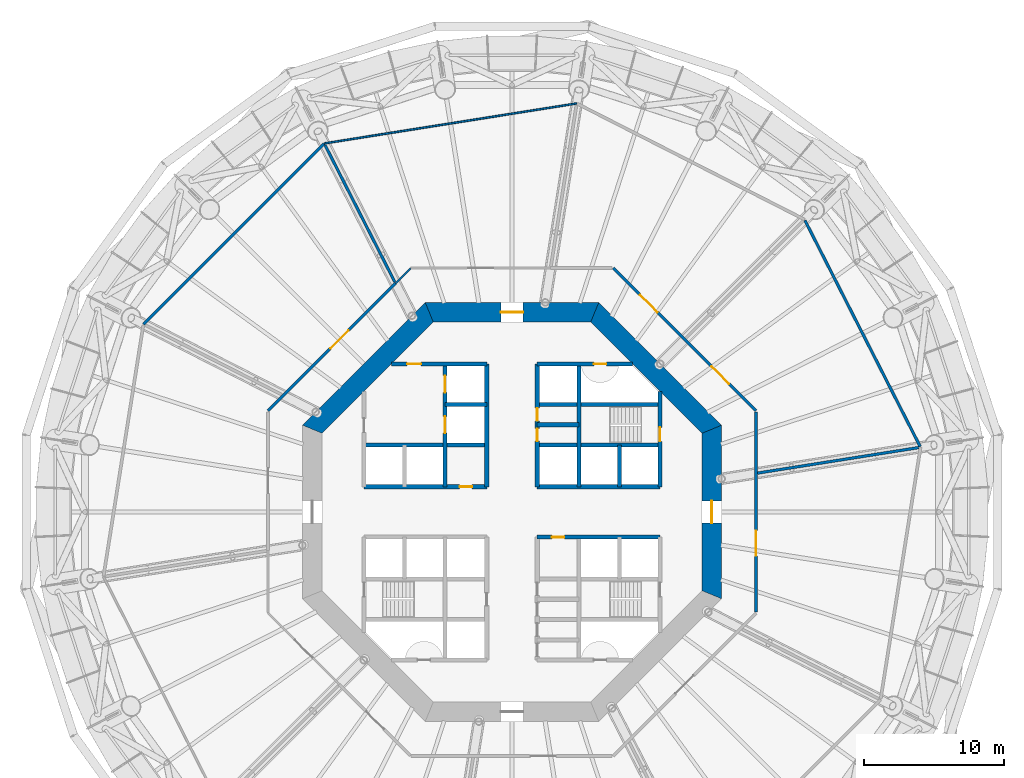
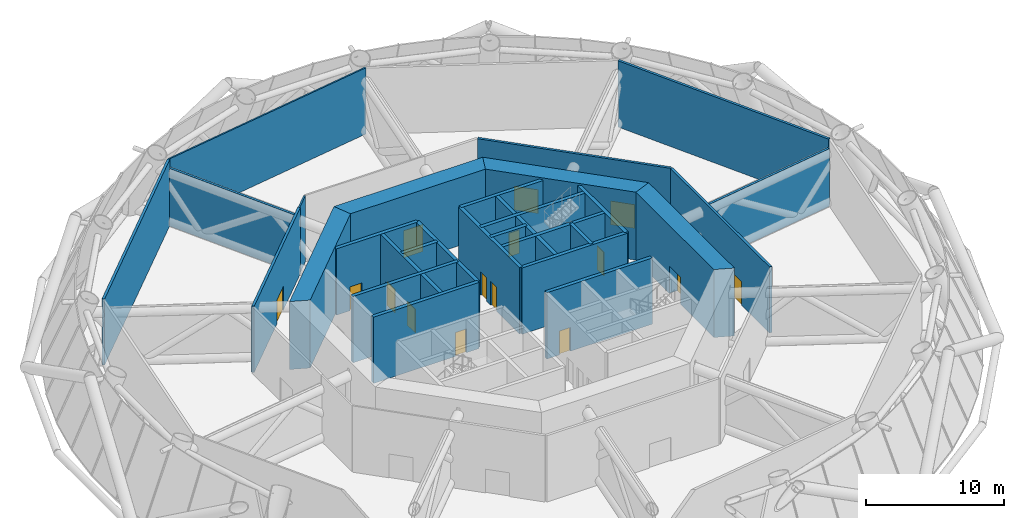
# One storey, part 9 of 14: 29 walls, 15 doors, 15 openings.
"""IFC4 building model written with IfcOpenShell, lengths in metres."""

from ifc_helpers import new_model, si_unit, direction, frame, frame_2d, origin, place, context, subcontext, project, spatial, polyline, rectangle, outline, extrude, material, layer, layer_set, type_object, element, fill, save


model = new_model("IFC4")

# Units and contexts
model_context = context("Model", 3, precision=1e-05, world=origin(), true_north=direction((0.0, 1.0)))
body_context = subcontext(model_context, "Body", "Model", "MODEL_VIEW")
ifc_project = project(units=[si_unit("LENGTHUNIT", "METRE"), si_unit("AREAUNIT", "SQUARE_METRE"), si_unit("VOLUMEUNIT", "CUBIC_METRE"), si_unit("PLANEANGLEUNIT", "RADIAN"), si_unit("MASSUNIT", "GRAM", prefix="KILO")], contexts=[model_context])

# Site, building, storey
site_placement = place(None, origin())
site = spatial("IfcSite", under=ifc_project, at=site_placement, CompositionType="ELEMENT")
building_placement = place(site_placement, origin())
building = spatial("IfcBuilding", under=site, at=building_placement, Name="Entoto Ring Tower", CompositionType="ELEMENT")
storey_placement = place(building_placement, frame((0.0, 0.0, 74.0)))
storey = spatial("IfcBuildingStorey", under=building, at=storey_placement, Name="L16", CompositionType="ELEMENT", Elevation=74.0)

# Wall, opening, door
ifc_material_1 = material(Name="Concrete C40/50", Category="concrete")
ifc_layer_1 = layer(ifc_material_1, 0.300048828125)
ifc_layer_set_1 = layer_set([ifc_layer_1], Name="Concrete C40/50")
wall_type_1 = type_object("IfcWallType", Name="Core enclosure wall 300 mm reinforced concrete", PredefinedType="SOLIDWALL", material=ifc_layer_set_1)
wall_1_placement = place(storey_placement, frame((100.60009765625, 81.800048828125, 0.0), z_axis=(0.0, 0.0, 1.0), x_axis=(0.0, 1.0, 0.0)))
wall_1 = element("IfcWall", 1, at=wall_1_placement, inside=storey, type_object=wall_type_1, Name="wall-L16-002", PredefinedType="SOLIDWALL", context=body_context, shape_type="SweptSolid", body=[
    extrude(rectangle(XDim=6.833251953125, YDim=0.300048828125, at=frame_2d((3.41650390625, 0.0))), origin(), (0.0, 0.0, 1.0), 5.85009765625),
])
opening_1_placement = place(wall_1_placement, frame((3.25, 0.0, 0.0)))
opening_1 = element("IfcOpeningElement", 2, at=opening_1_placement, cuts=wall_1, Name="Opening K-51", PredefinedType="OPENING", context=body_context, shape_type="SweptSolid", body=[
    extrude(rectangle(XDim=1.0, YDim=2.10009765625, at=frame_2d((0.5, 1.050048828125))), frame((0.0, 0.16015625, 0.0), z_axis=(0.0, -1.0, 0.0), x_axis=(1.0, 0.0, 0.0)), (0.0, 0.0, 1.0), 0.320068359375),
])
ifc_material_2 = material(Name="Steel door leaf, fire rated", Category="steel")
ifc_layer_2 = layer(ifc_material_2, 0.050048828125)
ifc_layer_set_2 = layer_set([ifc_layer_2], Name="Steel door leaf, fire rated")
door_type_1 = type_object("IfcDoorType", Name="Fire door FD60 1000 x 2100 single leaf", OperationType="NOTDEFINED", PredefinedType="DOOR", material=ifc_layer_set_2)
door_1_placement = place(opening_1_placement, origin())
door_1 = element("IfcDoor", 3, at=door_1_placement, inside=storey, type_object=door_type_1, Name="Door K-51", OperationType="SINGLE_SWING_RIGHT", OverallHeight=2.10009765625, OverallWidth=1.0, PredefinedType="DOOR", context=body_context, shape_type="SweptSolid", body=[
    extrude(rectangle(XDim=1.0, YDim=2.10009765625, at=frame_2d((0.5, 1.050048828125))), frame((0.0, 0.02490234375, 0.0), z_axis=(0.0, -1.0, 0.0), x_axis=(1.0, 0.0, 0.0)), (0.0, 0.0, 1.0), 0.050048828125),
])
fill(opening_1, door_1)

# Walls
wall_2_placement = place(storey_placement, frame((97.699951171875, 81.800048828125, 0.0), z_axis=(0.0, 0.0, 1.0), x_axis=(0.0, 1.0, 0.0)))
element("IfcWall", 4, at=wall_2_placement, inside=storey, type_object=wall_type_1, Name="wall-L16-004", PredefinedType="SOLIDWALL", context=body_context, shape_type="SweptSolid", body=[
    extrude(rectangle(XDim=3.0, YDim=0.300048828125, at=frame_2d((1.5, 0.0))), origin(), (0.0, 0.0, 1.0), 5.85009765625),
])
wall_3_placement = place(storey_placement, frame((94.800048828125, 81.800048828125, 0.0), z_axis=(0.0, 0.0, 1.0), x_axis=(0.0, 1.0, 0.0)))
element("IfcWall", 5, at=wall_3_placement, inside=storey, type_object=wall_type_1, Name="wall-L16-006", PredefinedType="SOLIDWALL", context=body_context, shape_type="SweptSolid", body=[
    extrude(rectangle(XDim=8.800048828125, YDim=0.300048828125, at=frame_2d((4.39990234375, 0.0))), origin(), (0.0, 0.0, 1.0), 5.85009765625),
])

# Wall, openings, doors
wall_4_placement = place(storey_placement, frame((91.800048828125, 81.800048828125, 0.0), z_axis=(0.0, 0.0, 1.0), x_axis=(0.0, 1.0, 0.0)))
wall_4 = element("IfcWall", 6, at=wall_4_placement, inside=storey, type_object=wall_type_1, Name="wall-L16-008", PredefinedType="SOLIDWALL", context=body_context, shape_type="SweptSolid", body=[
    extrude(rectangle(XDim=8.800048828125, YDim=0.300048828125, at=frame_2d((4.39990234375, 0.0))), origin(), (0.0, 0.0, 1.0), 5.85009765625),
])
opening_2_placement = place(wall_4_placement, frame((3.27490234375, 0.0, 0.0)))
opening_2 = element("IfcOpeningElement", 7, at=opening_2_placement, cuts=wall_4, Name="Opening K-05", PredefinedType="OPENING", context=body_context, shape_type="SweptSolid", body=[
    extrude(rectangle(XDim=0.89990234375, YDim=2.10009765625, at=frame_2d((0.449951171875, 1.050048828125))), frame((0.0, 0.16015625, 0.0), z_axis=(0.0, -1.0, 0.0), x_axis=(1.0, 0.0, 0.0)), (0.0, 0.0, 1.0), 0.320068359375),
])
opening_3_placement = place(wall_4_placement, frame((4.72509765625, 0.0, 0.0)))
opening_3 = element("IfcOpeningElement", 8, at=opening_3_placement, cuts=wall_4, Name="Opening K-06", PredefinedType="OPENING", context=body_context, shape_type="SweptSolid", body=[
    extrude(rectangle(XDim=0.89990234375, YDim=2.10009765625, at=frame_2d((0.449951171875, 1.050048828125))), frame((0.0, 0.16015625, 0.0), z_axis=(0.0, -1.0, 0.0), x_axis=(1.0, 0.0, 0.0)), (0.0, 0.0, 1.0), 0.320068359375),
])
ifc_material_3 = material(Name="Steel door leaf, fire rated", Category="steel")
ifc_layer_3 = layer(ifc_material_3, 0.050048828125)
ifc_layer_set_3 = layer_set([ifc_layer_3], Name="Steel door leaf, fire rated")
door_type_2 = type_object("IfcDoorType", Name="Core door 900 x 2100 single leaf", OperationType="NOTDEFINED", PredefinedType="DOOR", material=ifc_layer_set_3)
door_2_placement = place(opening_2_placement, origin())
door_2 = element("IfcDoor", 9, at=door_2_placement, inside=storey, type_object=door_type_2, Name="Door K-05", OperationType="SINGLE_SWING_RIGHT", OverallHeight=2.10009765625, OverallWidth=0.89990234375, PredefinedType="DOOR", context=body_context, shape_type="SweptSolid", body=[
    extrude(rectangle(XDim=0.89990234375, YDim=2.10009765625, at=frame_2d((0.449951171875, 1.050048828125))), frame((0.0, 0.02490234375, 0.0), z_axis=(0.0, -1.0, 0.0), x_axis=(1.0, 0.0, 0.0)), (0.0, 0.0, 1.0), 0.050048828125),
])
fill(opening_2, door_2)
door_3_placement = place(opening_3_placement, origin())
door_3 = element("IfcDoor", 10, at=door_3_placement, inside=storey, type_object=door_type_2, Name="Door K-06", OperationType="SINGLE_SWING_RIGHT", OverallHeight=2.10009765625, OverallWidth=0.89990234375, PredefinedType="DOOR", context=body_context, shape_type="SweptSolid", body=[
    extrude(rectangle(XDim=0.89990234375, YDim=2.10009765625, at=frame_2d((0.449951171875, 1.050048828125))), frame((0.0, 0.02490234375, 0.0), z_axis=(0.0, -1.0, 0.0), x_axis=(1.0, 0.0, 0.0)), (0.0, 0.0, 1.0), 0.050048828125),
])
fill(opening_3, door_3)

# Wall
wall_5_placement = place(storey_placement, frame((88.199951171875, 81.800048828125, 0.0), z_axis=(0.0, 0.0, 1.0), x_axis=(0.0, 1.0, 0.0)))
element("IfcWall", 11, at=wall_5_placement, inside=storey, type_object=wall_type_1, Name="wall-L16-010", PredefinedType="SOLIDWALL", context=body_context, shape_type="SweptSolid", body=[
    extrude(rectangle(XDim=8.800048828125, YDim=0.300048828125, at=frame_2d((4.39990234375, 0.0))), origin(), (0.0, 0.0, 1.0), 5.85009765625),
])

# Wall, openings, doors
wall_6_placement = place(storey_placement, frame((85.199951171875, 81.800048828125, 0.0), z_axis=(0.0, 0.0, 1.0), x_axis=(0.0, 1.0, 0.0)))
wall_6 = element("IfcWall", 12, at=wall_6_placement, inside=storey, type_object=wall_type_1, Name="wall-L16-012", PredefinedType="SOLIDWALL", context=body_context, shape_type="SweptSolid", body=[
    extrude(rectangle(XDim=8.800048828125, YDim=0.300048828125, at=frame_2d((4.39990234375, 0.0))), origin(), (0.0, 0.0, 1.0), 5.85009765625),
])
opening_4_placement = place(wall_6_placement, frame((3.85009765625, 0.0, 0.0)))
opening_4 = element("IfcOpeningElement", 13, at=opening_4_placement, cuts=wall_6, Name="Opening LD", PredefinedType="OPENING", context=body_context, shape_type="SweptSolid", body=[
    extrude(rectangle(XDim=1.199951171875, YDim=2.10009765625, at=frame_2d((0.60009765625, 1.050048828125))), frame((0.0, 0.16015625, 0.0), z_axis=(0.0, -1.0, 0.0), x_axis=(1.0, 0.0, 0.0)), (0.0, 0.0, 1.0), 0.320068359375),
])
opening_5_placement = place(wall_6_placement, frame((6.75, 0.0, 0.0)))
opening_5 = element("IfcOpeningElement", 14, at=opening_5_placement, cuts=wall_6, Name="Opening LD", PredefinedType="OPENING", context=body_context, shape_type="SweptSolid", body=[
    extrude(rectangle(XDim=1.199951171875, YDim=2.10009765625, at=frame_2d((0.60009765625, 1.050048828125))), frame((0.0, 0.16015625, 0.0), z_axis=(0.0, -1.0, 0.0), x_axis=(1.0, 0.0, 0.0)), (0.0, 0.0, 1.0), 0.320068359375),
])
ifc_material_4 = material(Name="Steel and glass door leaf", Category="steel")
ifc_layer_4 = layer(ifc_material_4, 0.050048828125)
ifc_layer_set_4 = layer_set([ifc_layer_4], Name="Steel and glass door leaf")
door_type_3 = type_object("IfcDoorType", Name="Landing door 1200 x 2100 sliding", OperationType="DOUBLE_DOOR_SLIDING", PredefinedType="DOOR", material=ifc_layer_set_4)
door_4_placement = place(opening_4_placement, origin())
door_4 = element("IfcDoor", 15, at=door_4_placement, inside=storey, type_object=door_type_3, Name="Landing door FF1", OperationType="SLIDING_TO_RIGHT", OverallHeight=2.10009765625, OverallWidth=1.199951171875, PredefinedType="DOOR", context=body_context, shape_type="SweptSolid", body=[
    extrude(rectangle(XDim=1.199951171875, YDim=2.10009765625, at=frame_2d((0.60009765625, 1.050048828125))), frame((0.0, 0.02490234375, 0.0), z_axis=(0.0, -1.0, 0.0), x_axis=(1.0, 0.0, 0.0)), (0.0, 0.0, 1.0), 0.050048828125),
])
fill(opening_4, door_4)
door_5_placement = place(opening_5_placement, origin())
door_5 = element("IfcDoor", 16, at=door_5_placement, inside=storey, type_object=door_type_3, Name="Landing door FF2", OperationType="SLIDING_TO_RIGHT", OverallHeight=2.10009765625, OverallWidth=1.199951171875, PredefinedType="DOOR", context=body_context, shape_type="SweptSolid", body=[
    extrude(rectangle(XDim=1.199951171875, YDim=2.10009765625, at=frame_2d((0.60009765625, 1.050048828125))), frame((0.0, 0.02490234375, 0.0), z_axis=(0.0, -1.0, 0.0), x_axis=(1.0, 0.0, 0.0)), (0.0, 0.0, 1.0), 0.050048828125),
])
fill(opening_5, door_5)

# Wall, opening, door
wall_7_placement = place(storey_placement, frame((91.800048828125, 78.199951171875, 0.0), z_axis=(0.0, 0.0, 1.0), x_axis=(1.0, 0.0, 0.0)))
wall_7 = element("IfcWall", 17, at=wall_7_placement, inside=storey, type_object=wall_type_1, Name="wall-L16-026", PredefinedType="SOLIDWALL", context=body_context, shape_type="SweptSolid", body=[
    extrude(rectangle(XDim=8.800048828125, YDim=0.300048828125, at=frame_2d((4.39990234375, 0.0))), origin(), (0.0, 0.0, 1.0), 5.85009765625),
])
opening_6_placement = place(wall_7_placement, frame((1.050048828125, 0.0, 0.0)))
opening_6 = element("IfcOpeningElement", 18, at=opening_6_placement, cuts=wall_7, Name="Opening K-46", PredefinedType="OPENING", context=body_context, shape_type="SweptSolid", body=[
    extrude(rectangle(XDim=0.89990234375, YDim=2.10009765625, at=frame_2d((0.449951171875, 1.050048828125))), frame((0.0, 0.16015625, 0.0), z_axis=(0.0, -1.0, 0.0), x_axis=(1.0, 0.0, 0.0)), (0.0, 0.0, 1.0), 0.320068359375),
])
door_6_placement = place(opening_6_placement, frame((0.89990234375, 0.0, 0.0), z_axis=(0.0, 0.0, 1.0), x_axis=(-1.0, 0.0, 0.0)))
door_6 = element("IfcDoor", 19, at=door_6_placement, inside=storey, type_object=door_type_2, Name="Door K-46", OperationType="SINGLE_SWING_RIGHT", OverallHeight=2.10009765625, OverallWidth=0.89990234375, PredefinedType="DOOR", context=body_context, shape_type="SweptSolid", body=[
    extrude(rectangle(XDim=0.89990234375, YDim=2.10009765625, at=frame_2d((0.449951171875, 1.050048828125))), frame((0.0, 0.02490234375, 0.0), z_axis=(0.0, -1.0, 0.0), x_axis=(1.0, 0.0, 0.0)), (0.0, 0.0, 1.0), 0.050048828125),
])
fill(opening_6, door_6)

wall_8_placement = place(storey_placement, frame((79.39990234375, 81.800048828125, 0.0), z_axis=(0.0, 0.0, 1.0), x_axis=(1.0, 0.0, 0.0)))
wall_8 = element("IfcWall", 20, at=wall_8_placement, inside=storey, type_object=wall_type_1, Name="wall-L16-027", PredefinedType="SOLIDWALL", context=body_context, shape_type="SweptSolid", body=[
    extrude(rectangle(XDim=8.800048828125, YDim=0.300048828125, at=frame_2d((4.39990234375, 0.0))), origin(), (0.0, 0.0, 1.0), 5.85009765625),
])
opening_7_placement = place(wall_8_placement, frame((6.85009765625, 0.0, 0.0)))
opening_7 = element("IfcOpeningElement", 21, at=opening_7_placement, cuts=wall_8, Name="Opening K-12", PredefinedType="OPENING", context=body_context, shape_type="SweptSolid", body=[
    extrude(rectangle(XDim=0.89990234375, YDim=2.10009765625, at=frame_2d((0.449951171875, 1.050048828125))), frame((0.0, 0.16015625, 0.0), z_axis=(0.0, -1.0, 0.0), x_axis=(1.0, 0.0, 0.0)), (0.0, 0.0, 1.0), 0.320068359375),
])
door_7_placement = place(opening_7_placement, frame((0.89990234375, 0.0, 0.0), z_axis=(0.0, 0.0, 1.0), x_axis=(-1.0, 0.0, 0.0)))
door_7 = element("IfcDoor", 22, at=door_7_placement, inside=storey, type_object=door_type_2, Name="Door K-12", OperationType="SINGLE_SWING_RIGHT", OverallHeight=2.10009765625, OverallWidth=0.89990234375, PredefinedType="DOOR", context=body_context, shape_type="SweptSolid", body=[
    extrude(rectangle(XDim=0.89990234375, YDim=2.10009765625, at=frame_2d((0.449951171875, 1.050048828125))), frame((0.0, 0.02490234375, 0.0), z_axis=(0.0, -1.0, 0.0), x_axis=(1.0, 0.0, 0.0)), (0.0, 0.0, 1.0), 0.050048828125),
])
fill(opening_7, door_7)

# Walls
for number, where, z_axis, x_axis, name in (
    (23, (91.800048828125, 81.800048828125, 0.0), (0.0, 0.0, 1.0), (1.0, 0.0, 0.0), "wall-L16-028"),
    (24, (79.39990234375, 84.800048828125, 0.0), (0.0, 0.0, 1.0), (1.0, 0.0, 0.0), "wall-L16-029"),
    (25, (91.800048828125, 84.800048828125, 0.0), (0.0, 0.0, 1.0), (1.0, 0.0, 0.0), "wall-L16-030"),
):
    element("IfcWall", number, at=place(storey_placement, frame(where, z_axis=z_axis, x_axis=x_axis)), inside=storey, type_object=wall_type_1, Name=name, PredefinedType="SOLIDWALL", context=body_context, shape_type="SweptSolid", body=[
        extrude(rectangle(XDim=8.800048828125, YDim=0.300048828125, at=frame_2d((4.39990234375, 0.0))), origin(), (0.0, 0.0, 1.0), 5.85009765625),
    ])
for number, where, z_axis, x_axis, name in (
    (26, (91.800048828125, 86.25, 0.0), (0.0, 0.0, 1.0), (1.0, 0.0, 0.0), "wall-L16-031"),
    (27, (85.199951171875, 87.699951171875, 0.0), (0.0, 0.0, 1.0), (1.0, 0.0, 0.0), "wall-L16-032"),
):
    element("IfcWall", number, at=place(storey_placement, frame(where, z_axis=z_axis, x_axis=x_axis)), inside=storey, type_object=wall_type_1, Name=name, PredefinedType="SOLIDWALL", context=body_context, shape_type="SweptSolid", body=[
        extrude(rectangle(XDim=3.0, YDim=0.300048828125, at=frame_2d((1.5, 0.0))), origin(), (0.0, 0.0, 1.0), 5.85009765625),
    ])
wall_9_placement = place(storey_placement, frame((91.800048828125, 87.699951171875, 0.0), z_axis=(0.0, 0.0, 1.0), x_axis=(1.0, 0.0, 0.0)))
element("IfcWall", 28, at=wall_9_placement, inside=storey, type_object=wall_type_1, Name="wall-L16-033", PredefinedType="SOLIDWALL", context=body_context, shape_type="SweptSolid", body=[
    extrude(rectangle(XDim=8.800048828125, YDim=0.300048828125, at=frame_2d((4.39990234375, 0.0))), origin(), (0.0, 0.0, 1.0), 5.85009765625),
])

# Wall, opening, door
wall_10_placement = place(storey_placement, frame((81.36669921875, 90.60009765625, 0.0), z_axis=(0.0, 0.0, 1.0), x_axis=(1.0, 0.0, 0.0)))
wall_10 = element("IfcWall", 29, at=wall_10_placement, inside=storey, type_object=wall_type_1, Name="wall-L16-034", PredefinedType="SOLIDWALL", context=body_context, shape_type="SweptSolid", body=[
    extrude(rectangle(XDim=6.833251953125, YDim=0.300048828125, at=frame_2d((3.41650390625, 0.0))), origin(), (0.0, 0.0, 1.0), 5.85009765625),
])
opening_8_placement = place(wall_10_placement, frame((1.13330078125, 0.0, 0.0)))
opening_8 = element("IfcOpeningElement", 30, at=opening_8_placement, cuts=wall_10, Name="Opening K-67", PredefinedType="OPENING", context=body_context, shape_type="SweptSolid", body=[
    extrude(rectangle(XDim=1.0, YDim=2.10009765625, at=frame_2d((0.5, 1.050048828125))), frame((0.0, 0.16015625, 0.0), z_axis=(0.0, -1.0, 0.0), x_axis=(1.0, 0.0, 0.0)), (0.0, 0.0, 1.0), 0.320068359375),
])
door_8_placement = place(opening_8_placement, frame((1.0, 0.0, 0.0), z_axis=(0.0, 0.0, 1.0), x_axis=(-1.0, 0.0, 0.0)))
door_8 = element("IfcDoor", 31, at=door_8_placement, inside=storey, type_object=door_type_1, Name="Door K-67", OperationType="SINGLE_SWING_RIGHT", OverallHeight=2.10009765625, OverallWidth=1.0, PredefinedType="DOOR", context=body_context, shape_type="SweptSolid", body=[
    extrude(rectangle(XDim=1.0, YDim=2.10009765625, at=frame_2d((0.5, 1.050048828125))), frame((0.0, 0.02490234375, 0.0), z_axis=(0.0, -1.0, 0.0), x_axis=(1.0, 0.0, 0.0)), (0.0, 0.0, 1.0), 0.050048828125),
])
fill(opening_8, door_8)

wall_11_placement = place(storey_placement, frame((91.800048828125, 90.60009765625, 0.0), z_axis=(0.0, 0.0, 1.0), x_axis=(1.0, 0.0, 0.0)))
wall_11 = element("IfcWall", 32, at=wall_11_placement, inside=storey, type_object=wall_type_1, Name="wall-L16-035", PredefinedType="SOLIDWALL", context=body_context, shape_type="SweptSolid", body=[
    extrude(rectangle(XDim=6.833251953125, YDim=0.300048828125, at=frame_2d((3.41650390625, 0.0))), origin(), (0.0, 0.0, 1.0), 5.85009765625),
])
opening_9_placement = place(wall_11_placement, frame((4.050048828125, 0.0, 0.0)))
opening_9 = element("IfcOpeningElement", 33, at=opening_9_placement, cuts=wall_11, Name="Opening K-58", PredefinedType="OPENING", context=body_context, shape_type="SweptSolid", body=[
    extrude(rectangle(XDim=0.89990234375, YDim=2.10009765625, at=frame_2d((0.449951171875, 1.050048828125))), frame((0.0, 0.16015625, 0.0), z_axis=(0.0, -1.0, 0.0), x_axis=(1.0, 0.0, 0.0)), (0.0, 0.0, 1.0), 0.320068359375),
])
ifc_material_5 = material(Name="Steel door leaf, fire rated", Category="steel")
ifc_layer_5 = layer(ifc_material_5, 0.050048828125)
ifc_layer_set_5 = layer_set([ifc_layer_5], Name="Steel door leaf, fire rated")
door_type_4 = type_object("IfcDoorType", Name="Riser door FD60 900 x 2100 single leaf", OperationType="NOTDEFINED", PredefinedType="DOOR", material=ifc_layer_set_5)
door_9_placement = place(opening_9_placement, frame((0.89990234375, 0.0, 0.0), z_axis=(0.0, 0.0, 1.0), x_axis=(-1.0, 0.0, 0.0)))
door_9 = element("IfcDoor", 34, at=door_9_placement, inside=storey, type_object=door_type_4, Name="Door K-58", OperationType="SINGLE_SWING_LEFT", OverallHeight=2.10009765625, OverallWidth=0.89990234375, PredefinedType="DOOR", context=body_context, shape_type="SweptSolid", body=[
    extrude(rectangle(XDim=0.89990234375, YDim=2.10009765625, at=frame_2d((0.449951171875, 1.050048828125))), frame((0.0, 0.02490234375, 0.0), z_axis=(0.0, -1.0, 0.0), x_axis=(1.0, 0.0, 0.0)), (0.0, 0.0, 1.0), 0.050048828125),
])
fill(opening_9, door_9)

ifc_material_6 = material(Name="Concrete C60/75", Category="concrete")
ifc_layer_6 = layer(ifc_material_6, 1.39990234375)
ifc_layer_set_6 = layer_set([ifc_layer_6], Name="Concrete C60/75")
wall_type_2 = type_object("IfcWallType", Name="Core shear wall 1400 mm reinforced concrete C60/75", PredefinedType="SHEAR", material=ifc_layer_set_6)
wall_12_placement = place(storey_placement, frame((104.300048828125, 74.07666015625, 0.0), z_axis=(0.0, 0.0, 1.0), x_axis=(0.0, 1.0, 0.0)))
wall_12 = element("IfcWall", 35, at=wall_12_placement, inside=storey, type_object=wall_type_2, Name="wall-L16-core-0", PredefinedType="SHEAR", context=body_context, shape_type="SweptSolid", body=[
    extrude(outline(polyline([(-0.2900390625, -0.699951171875), (12.13671875, -0.699951171875), (11.556640625, 0.699951171875), (0.2900390625, 0.699951171875), (-0.2900390625, -0.699951171875)])), origin(), (0.0, 0.0, 1.0), 6.0),
])
opening_10_placement = place(wall_12_placement, frame((5.123291015625, 0.0, 0.0)))
opening_10 = element("IfcOpeningElement", 36, at=opening_10_placement, cuts=wall_12, Name="Opening K-01", PredefinedType="OPENING", context=body_context, shape_type="SweptSolid", body=[
    extrude(rectangle(XDim=1.60009765625, YDim=2.39990234375, at=frame_2d((0.800048828125, 1.199951171875))), frame((0.0, 0.7099609375, 0.0), z_axis=(0.0, -1.0, 0.0), x_axis=(1.0, 0.0, 0.0)), (0.0, 0.0, 1.0), 1.419921875),
])
ifc_material_7 = material(Name="Steel door leaf, fire rated", Category="steel")
ifc_layer_7 = layer(ifc_material_7, 0.050048828125)
ifc_layer_set_7 = layer_set([ifc_layer_7], Name="Steel door leaf, fire rated")
door_type_5 = type_object("IfcDoorType", Name="Entrance door FD60 1600 x 2400 double leaf", OperationType="DOUBLE_DOOR_SINGLE_SWING", PredefinedType="DOOR", material=ifc_layer_set_7)
door_10_placement = place(opening_10_placement, origin())
door_10 = element("IfcDoor", 37, at=door_10_placement, inside=storey, type_object=door_type_5, Name="Entrance door K-01", OperationType="DOUBLE_DOOR_SINGLE_SWING", OverallHeight=2.39990234375, OverallWidth=1.60009765625, PredefinedType="DOOR", context=body_context, shape_type="SweptSolid", body=[
    extrude(rectangle(XDim=1.60009765625, YDim=2.39990234375, at=frame_2d((0.800048828125, 1.199951171875))), frame((0.0, 0.02490234375, 0.0), z_axis=(0.0, -1.0, 0.0), x_axis=(1.0, 0.0, 0.0)), (0.0, 0.0, 1.0), 0.050048828125),
])
fill(opening_10, door_10)

# Wall
wall_13_placement = place(storey_placement, frame((104.300048828125, 85.92333984375, 0.0), z_axis=(0.0, 0.0, 1.0), x_axis=(-0.707106781187, 0.707106781187, 0.0)))
element("IfcWall", 38, at=wall_13_placement, inside=storey, type_object=wall_type_2, Name="wall-L16-core-1", PredefinedType="SHEAR", context=body_context, shape_type="SweptSolid", body=[
    extrude(outline(polyline([(-0.2900390625, -0.699951171875), (12.136474609375, -0.699951171875), (11.556396484375, 0.699951171875), (0.2900390625, 0.699951171875), (-0.2900390625, -0.699951171875)])), origin(), (0.0, 0.0, 1.0), 6.0),
])

# Wall, opening, door
wall_14_placement = place(storey_placement, frame((95.92333984375, 94.300048828125, 0.0), z_axis=(0.0, 0.0, 1.0), x_axis=(-1.0, 0.0, 0.0)))
wall_14 = element("IfcWall", 39, at=wall_14_placement, inside=storey, type_object=wall_type_2, Name="wall-L16-core-2", PredefinedType="SHEAR", context=body_context, shape_type="SweptSolid", body=[
    extrude(outline(polyline([(-0.2900390625, -0.699951171875), (12.13671875, -0.699951171875), (11.556640625, 0.699951171875), (0.2900390625, 0.699951171875), (-0.2900390625, -0.699951171875)])), origin(), (0.0, 0.0, 1.0), 6.0),
])
opening_11_placement = place(wall_14_placement, frame((5.123291015625, 0.0, 0.0)))
opening_11 = element("IfcOpeningElement", 40, at=opening_11_placement, cuts=wall_14, Name="Opening K-02", PredefinedType="OPENING", context=body_context, shape_type="SweptSolid", body=[
    extrude(rectangle(XDim=1.60009765625, YDim=2.39990234375, at=frame_2d((0.800048828125, 1.199951171875))), frame((0.0, 0.7099609375, 0.0), z_axis=(0.0, -1.0, 0.0), x_axis=(1.0, 0.0, 0.0)), (0.0, 0.0, 1.0), 1.419921875),
])
door_11_placement = place(opening_11_placement, origin())
door_11 = element("IfcDoor", 41, at=door_11_placement, inside=storey, type_object=door_type_5, Name="Entrance door K-02", OperationType="DOUBLE_DOOR_SINGLE_SWING", OverallHeight=2.39990234375, OverallWidth=1.60009765625, PredefinedType="DOOR", context=body_context, shape_type="SweptSolid", body=[
    extrude(rectangle(XDim=1.60009765625, YDim=2.39990234375, at=frame_2d((0.800048828125, 1.199951171875))), frame((0.0, 0.02490234375, 0.0), z_axis=(0.0, -1.0, 0.0), x_axis=(1.0, 0.0, 0.0)), (0.0, 0.0, 1.0), 0.050048828125),
])
fill(opening_11, door_11)

# Walls
wall_15_placement = place(storey_placement, frame((84.07666015625, 94.300048828125, 0.0), z_axis=(0.0, 0.0, 1.0), x_axis=(-0.707106781187, -0.707106781187, 0.0)))
element("IfcWall", 42, at=wall_15_placement, inside=storey, type_object=wall_type_2, Name="wall-L16-core-3", PredefinedType="SHEAR", context=body_context, shape_type="SweptSolid", body=[
    extrude(outline(polyline([(-0.2900390625, -0.699951171875), (12.136474609375, -0.699951171875), (11.556396484375, 0.699951171875), (0.2900390625, 0.699951171875), (-0.2900390625, -0.699951171875)])), origin(), (0.0, 0.0, 1.0), 6.0),
])
ifc_material_8 = material(Name="Fire-resisting plasterboard on steel studs", Category="steel")
ifc_layer_8 = layer(ifc_material_8, 0.125)
ifc_layer_set_8 = layer_set([ifc_layer_8], Name="Fire-resisting plasterboard on steel studs")
wall_type_3 = type_object("IfcWallType", Name="Corridor wall 125 mm one-hour plasterboard on steel studs", PredefinedType="PARTITIONING", material=ifc_layer_set_8)
wall_16_placement = place(storey_placement, frame((76.56201171875, 106.373779296875, 0.0), z_axis=(0.0, 0.0, 1.0), x_axis=(0.987687754272, 0.156438166895, 0.0)))
element("IfcWall", 43, at=wall_16_placement, inside=storey, type_object=wall_type_3, Name="partition-L16-001", PredefinedType="PARTITIONING", context=body_context, shape_type="SweptSolid", body=[
    extrude(rectangle(XDim=18.293701171875, YDim=0.125, at=frame_2d((9.14697265625, 0.0))), origin(), (0.0, 0.0, 1.0), 5.85009765625),
])
wall_17_placement = place(storey_placement, frame((81.664306640625, 96.35986328125, 0.0), z_axis=(0.0, 0.0, 1.0), x_axis=(0.70702621299, 0.707187340204, 0.0)))
element("IfcWall", 44, at=wall_17_placement, inside=storey, type_object=wall_type_3, Name="partition-L16-006", PredefinedType="PARTITIONING", context=body_context, shape_type="SweptSolid", body=[
    extrude(rectangle(XDim=1.51513671875, YDim=0.125, at=frame_2d((0.757568359375, 0.0))), origin(), (0.0, 0.0, 1.0), 5.85009765625),
])
ifc_material_9 = material(Name="Concrete C20/25", Category="concrete")
ifc_layer_9 = layer(ifc_material_9, 0.199951171875)
ifc_layer_set_9 = layer_set([ifc_layer_9], Name="Concrete C20/25")
wall_type_4 = type_object("IfcWallType", Name="Plant room wall 200 mm two-hour concrete", PredefinedType="PARTITIONING", material=ifc_layer_set_9)
wall_18_placement = place(storey_placement, frame((63.626220703125, 93.438232421875, 0.0), z_axis=(0.0, 0.0, 1.0), x_axis=(0.707113467301, 0.707100095009, 0.0)))
element("IfcWall", 45, at=wall_18_placement, inside=storey, type_object=wall_type_4, Name="partition-L16-007", PredefinedType="PARTITIONING", context=body_context, shape_type="SweptSolid", body=[
    extrude(rectangle(XDim=18.257080078125, YDim=0.199951171875, at=frame_2d((9.12841796875, 0.0))), origin(), (0.0, 0.0, 1.0), 5.85009765625),
])
wall_19_placement = place(storey_placement, frame((119.208984375, 84.6826171875, 0.0), z_axis=(0.0, 0.0, 1.0), x_axis=(-0.45399157384, 0.891005976906, 0.0)))
element("IfcWall", 46, at=wall_19_placement, inside=storey, type_object=wall_type_4, Name="partition-L16-014", PredefinedType="PARTITIONING", context=body_context, shape_type="SweptSolid", body=[
    extrude(rectangle(XDim=18.177001953125, YDim=0.199951171875, at=frame_2d((9.08837890625, 0.0))), origin(), (0.0, 0.0, 1.0), 5.85009765625),
])

# Wall, openings, doors
wall_20_placement = place(storey_placement, frame((107.46240234375, 87.233154296875, 0.0), z_axis=(0.0, 0.0, 1.0), x_axis=(-0.707106781187, 0.707106781187, 0.0)))
wall_20 = element("IfcWall", 47, at=wall_20_placement, inside=storey, type_object=wall_type_4, Name="partition-L16-016", PredefinedType="PARTITIONING", context=body_context, shape_type="SweptSolid", body=[
    extrude(rectangle(XDim=14.46630859375, YDim=0.199951171875, at=frame_2d((7.233154296875, 0.0))), origin(), (0.0, 0.0, 1.0), 5.85009765625),
])
opening_12_placement = place(wall_20_placement, frame((2.716796875, 0.0, 0.0)))
opening_12 = element("IfcOpeningElement", 48, at=opening_12_placement, cuts=wall_20, Name="Opening A07-D01", PredefinedType="OPENING", context=body_context, shape_type="SweptSolid", body=[
    extrude(rectangle(XDim=1.800048828125, YDim=2.10009765625, at=frame_2d((0.89990234375, 1.050048828125))), frame((0.0, 0.10986328125, 0.0), z_axis=(0.0, -1.0, 0.0), x_axis=(1.0, 0.0, 0.0)), (0.0, 0.0, 1.0), 0.219970703125),
])
opening_13_placement = place(wall_20_placement, frame((9.94970703125, 0.0, 0.0)))
opening_13 = element("IfcOpeningElement", 49, at=opening_13_placement, cuts=wall_20, Name="Opening A07-D02", PredefinedType="OPENING", context=body_context, shape_type="SweptSolid", body=[
    extrude(rectangle(XDim=1.800048828125, YDim=2.10009765625, at=frame_2d((0.89990234375, 1.050048828125))), frame((0.0, 0.10986328125, 0.0), z_axis=(0.0, -1.0, 0.0), x_axis=(1.0, 0.0, 0.0)), (0.0, 0.0, 1.0), 0.219970703125),
])
ifc_material_10 = material(Name="Fire-resisting steel door set", Category="steel")
door_type_6 = type_object("IfcDoorType", Name="Door 1800 x 2100 double leaf FD60 steel door", OperationType="DOUBLE_DOOR_SINGLE_SWING", PredefinedType="DOOR", material=ifc_material_10)
door_12_placement = place(opening_12_placement, frame((1.800048828125, 0.0, 0.0), z_axis=(0.0, 0.0, 1.0), x_axis=(-1.0, 0.0, 0.0)))
door_12 = element("IfcDoor", 50, at=door_12_placement, inside=storey, type_object=door_type_6, Name="Door A07-D01", OperationType="DOUBLE_DOOR_SINGLE_SWING", OverallHeight=2.10009765625, OverallWidth=1.800048828125, PredefinedType="DOOR", context=body_context, shape_type="SweptSolid", body=[
    extrude(rectangle(XDim=1.800048828125, YDim=2.10009765625, at=frame_2d((0.89990234375, 1.050048828125))), frame((0.0, 0.02490234375, 0.0), z_axis=(0.0, -1.0, 0.0), x_axis=(1.0, 0.0, 0.0)), (0.0, 0.0, 1.0), 0.050048828125),
])
fill(opening_12, door_12)
door_13_placement = place(opening_13_placement, frame((1.800048828125, 0.0, 0.0), z_axis=(0.0, 0.0, 1.0), x_axis=(-1.0, 0.0, 0.0)))
door_13 = element("IfcDoor", 51, at=door_13_placement, inside=storey, type_object=door_type_6, Name="Door A07-D02", OperationType="DOUBLE_DOOR_SINGLE_SWING", OverallHeight=2.10009765625, OverallWidth=1.800048828125, PredefinedType="DOOR", context=body_context, shape_type="SweptSolid", body=[
    extrude(rectangle(XDim=1.800048828125, YDim=2.10009765625, at=frame_2d((0.89990234375, 1.050048828125))), frame((0.0, 0.02490234375, 0.0), z_axis=(0.0, -1.0, 0.0), x_axis=(1.0, 0.0, 0.0)), (0.0, 0.0, 1.0), 0.050048828125),
])
fill(opening_13, door_13)

# Wall, opening, door
wall_21_placement = place(storey_placement, frame((107.46240234375, 72.83740234375, 0.0), z_axis=(0.0, 0.0, 1.0), x_axis=(0.0, 1.0, 0.0)))
wall_21 = element("IfcWall", 52, at=wall_21_placement, inside=storey, type_object=wall_type_4, Name="partition-L16-018", PredefinedType="PARTITIONING", context=body_context, shape_type="SweptSolid", body=[
    extrude(rectangle(XDim=14.3251953125, YDim=0.199951171875, at=frame_2d((7.16259765625, 0.0))), origin(), (0.0, 0.0, 1.0), 5.85009765625),
])
opening_14_placement = place(wall_21_placement, frame((4.029052734375, 0.0, 0.0)))
opening_14 = element("IfcOpeningElement", 53, at=opening_14_placement, cuts=wall_21, Name="Opening A07-D10", PredefinedType="OPENING", context=body_context, shape_type="SweptSolid", body=[
    extrude(rectangle(XDim=1.800048828125, YDim=2.10009765625, at=frame_2d((0.89990234375, 1.050048828125))), frame((0.0, 0.10986328125, 0.0), z_axis=(0.0, -1.0, 0.0), x_axis=(1.0, 0.0, 0.0)), (0.0, 0.0, 1.0), 0.219970703125),
])
door_14_placement = place(opening_14_placement, frame((1.800048828125, 0.0, 0.0), z_axis=(0.0, 0.0, 1.0), x_axis=(-1.0, 0.0, 0.0)))
door_14 = element("IfcDoor", 54, at=door_14_placement, inside=storey, type_object=door_type_6, Name="Door A07-D10", OperationType="DOUBLE_DOOR_SINGLE_SWING", OverallHeight=2.10009765625, OverallWidth=1.800048828125, PredefinedType="DOOR", context=body_context, shape_type="SweptSolid", body=[
    extrude(rectangle(XDim=1.800048828125, YDim=2.10009765625, at=frame_2d((0.89990234375, 1.050048828125))), frame((0.0, 0.02490234375, 0.0), z_axis=(0.0, -1.0, 0.0), x_axis=(1.0, 0.0, 0.0)), (0.0, 0.0, 1.0), 0.050048828125),
])
fill(opening_14, door_14)

wall_22_placement = place(storey_placement, frame((72.53759765625, 87.233154296875, 0.0), z_axis=(0.0, 0.0, 1.0), x_axis=(0.707106781187, 0.707106781187, 0.0)))
wall_22 = element("IfcWall", 55, at=wall_22_placement, inside=storey, type_object=wall_type_4, Name="partition-L16-019", PredefinedType="PARTITIONING", context=body_context, shape_type="SweptSolid", body=[
    extrude(rectangle(XDim=12.9072265625, YDim=0.199951171875, at=frame_2d((6.45361328125, 0.0))), origin(), (0.0, 0.0, 1.0), 5.85009765625),
])
opening_15_placement = place(wall_22_placement, frame((6.333251953125, 0.0, 0.0)))
opening_15 = element("IfcOpeningElement", 56, at=opening_15_placement, cuts=wall_22, Name="Opening A07-D04", PredefinedType="OPENING", context=body_context, shape_type="SweptSolid", body=[
    extrude(rectangle(XDim=1.800048828125, YDim=2.10009765625, at=frame_2d((0.89990234375, 1.050048828125))), frame((0.0, 0.10986328125, 0.0), z_axis=(0.0, -1.0, 0.0), x_axis=(1.0, 0.0, 0.0)), (0.0, 0.0, 1.0), 0.219970703125),
])
door_15_placement = place(opening_15_placement, origin())
door_15 = element("IfcDoor", 57, at=door_15_placement, inside=storey, type_object=door_type_6, Name="Door A07-D04", OperationType="DOUBLE_DOOR_SINGLE_SWING", OverallHeight=2.10009765625, OverallWidth=1.800048828125, PredefinedType="DOOR", context=body_context, shape_type="SweptSolid", body=[
    extrude(rectangle(XDim=1.800048828125, YDim=2.10009765625, at=frame_2d((0.89990234375, 1.050048828125))), frame((0.0, 0.02490234375, 0.0), z_axis=(0.0, -1.0, 0.0), x_axis=(1.0, 0.0, 0.0)), (0.0, 0.0, 1.0), 0.050048828125),
])
fill(opening_15, door_15)

# Walls
ifc_material_11 = material(Name="Concrete C20/25", Category="concrete")
ifc_layer_10 = layer(ifc_material_11, 0.199951171875)
ifc_layer_set_10 = layer_set([ifc_layer_10], Name="Concrete C20/25")
wall_type_5 = type_object("IfcWallType", Name="Plant room wall 200 mm two-hour concrete, 5097 mm high", PredefinedType="PARTITIONING", material=ifc_layer_set_10)
wall_23_placement = place(storey_placement, frame((107.578125, 82.7841796875, 0.0), z_axis=(0.0, 0.0, 1.0), x_axis=(0.987690400008, 0.156421461862, 0.0)))
element("IfcWall", 58, at=wall_23_placement, inside=storey, type_object=wall_type_5, Name="partition-L16-025", PredefinedType="PARTITIONING", context=body_context, shape_type="SweptSolid", body=[
    extrude(rectangle(XDim=11.665283203125, YDim=0.199951171875, at=frame_2d((5.83251953125, 0.0))), origin(), (0.0, 0.0, 1.0), 5.096923828125),
])
wall_24_placement = place(storey_placement, frame((81.61962890625, 96.447265625, 0.0), z_axis=(0.0, 0.0, 1.0), x_axis=(-0.453990262372, 0.891006645133, 0.0)))
element("IfcWall", 59, at=wall_24_placement, inside=storey, type_object=wall_type_5, Name="partition-L16-027", PredefinedType="PARTITIONING", context=body_context, shape_type="SweptSolid", body=[
    extrude(rectangle(XDim=11.003173828125, YDim=0.199951171875, at=frame_2d((5.50146484375, 0.0))), origin(), (0.0, 0.0, 1.0), 5.096923828125),
])

save(model, "model.ifc")
